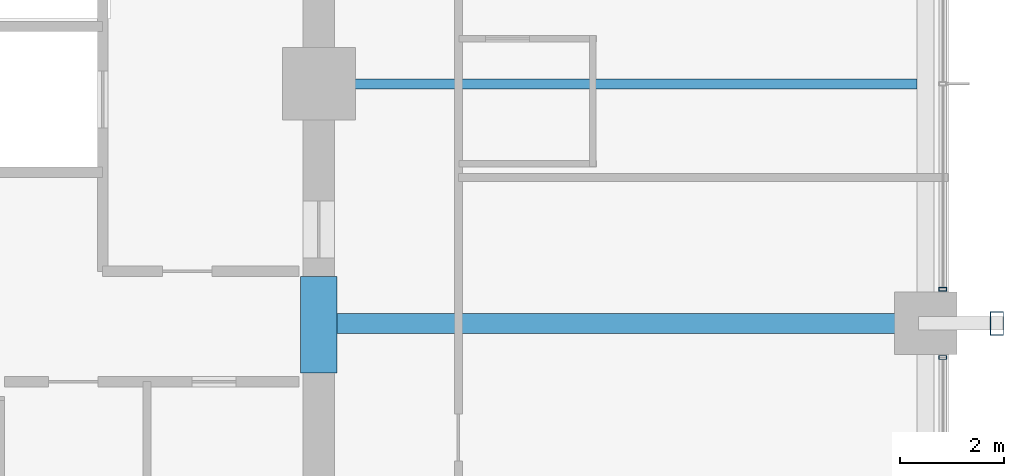
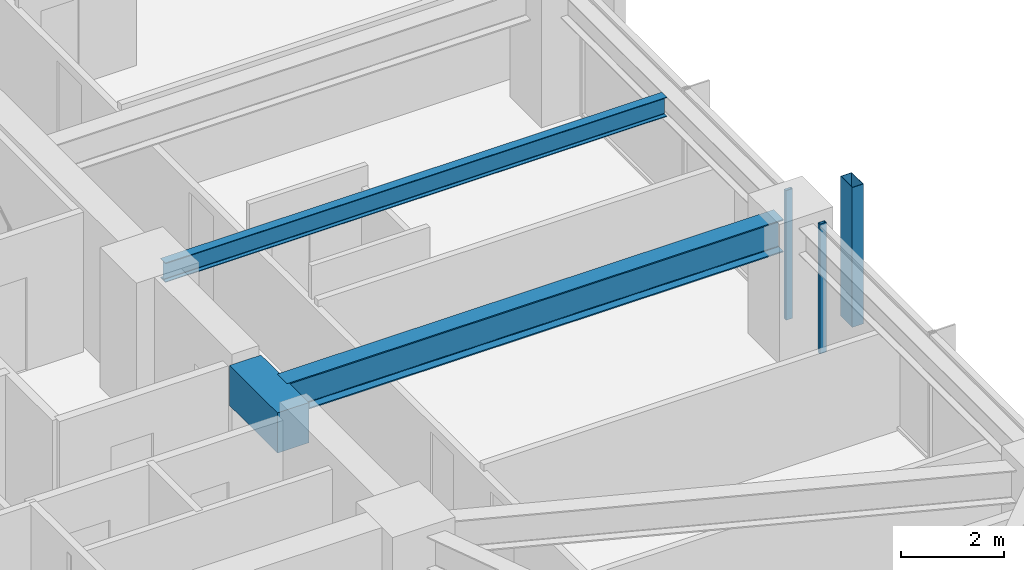
# One storey, part 13 of 38: 3 beams, 3 members, 2 elements without a shape of their own.
"""IFC4 building model written with IfcOpenShell, lengths in metres."""

import ifcopenshell
import ifcopenshell.guid

model = None  # the IFC model being written
_history = None  # IfcOwnerHistory: only IFC2X3 demands one
_inside = {}  # id of a spatial element -> (the spatial element, [elements in it])
_under = {}  # id of a project, library or spatial element -> (it, [spatial elements below it])
_declared = {}  # id of a project -> (the project, [libraries it declares])
_typed = {}  # id of a type object -> (the type object, [elements of that type])
_made_of = {}  # id of a material, layer set ... -> (it, [elements and type objects made of it])


def new_model(schema):
    """Start an empty IFC model of exactly this schema.

    Asked for "IFC4X3", IfcOpenShell would pick the latest addendum, in which some entities
    have other attributes; the version numbers below select the first issue.
    IFC2X3 requires an IfcOwnerHistory on every rooted entity: one is made here for all.
    """
    global model, _history
    if schema == "IFC4X3":
        model = ifcopenshell.file(schema_version=(4, 3, 0, 0))
    else:
        model = ifcopenshell.file(schema=schema)
    _inside.clear()
    _under.clear()
    _declared.clear()
    _typed.clear()
    _made_of.clear()
    _history = None
    if model.schema == "IFC2X3":
        org = make("IfcOrganization", Name="unknown")
        user = make(
            "IfcPersonAndOrganization",
            ThePerson=make("IfcPerson", FamilyName="unknown"),
            TheOrganization=org,
        )
        app = make(
            "IfcApplication",
            ApplicationDeveloper=org,
            Version="unknown",
            ApplicationFullName="unknown",
            ApplicationIdentifier="unknown",
        )
        _history = make(
            "IfcOwnerHistory",
            OwningUser=user,
            OwningApplication=app,
            ChangeAction="ADDED",
            CreationDate=0,
        )
    return model


def make(cls, **values):
    """One entity of the class cls with the attributes given. An attribute that is None is left unset."""
    return model.create_entity(
        cls, **{name: value for name, value in values.items() if value is not None}
    )


def rooted(cls, **values):
    """An entity with a GlobalId (a new one), such as an element, a storey or a relation."""
    return make(cls, GlobalId=ifcopenshell.guid.new(), OwnerHistory=_history, **values)


def si_unit(unit_type, name, prefix=None):
    """IfcSIUnit, for example si_unit("LENGTHUNIT", "METRE", prefix="MILLI")."""
    return make("IfcSIUnit", UnitType=unit_type, Prefix=prefix, Name=name)


def assignment(units):
    """IfcUnitAssignment: the units of a project."""
    return None if units is None else make("IfcUnitAssignment", Units=units)


def point(xyz):
    """IfcCartesianPoint."""
    return None if xyz is None else make("IfcCartesianPoint", Coordinates=xyz)


def direction(xyz):
    """IfcDirection."""
    return None if xyz is None else make("IfcDirection", DirectionRatios=xyz)


def frame(location, z_axis=None, x_axis=None):
    """IfcAxis2Placement3D, a coordinate frame: its origin and axes. An axis left out is left unset."""
    return make(
        "IfcAxis2Placement3D",
        Location=point(location),
        Axis=direction(z_axis),
        RefDirection=direction(x_axis),
    )


def frame_2d(location, x_axis=None):
    """IfcAxis2Placement2D, a coordinate frame in the plane: its origin and x axis."""
    return make(
        "IfcAxis2Placement2D", Location=point(location), RefDirection=direction(x_axis)
    )


def origin():
    """The frame at (0, 0, 0) with its axes left unset."""
    return frame((0.0, 0.0, 0.0))


def origin_2d():
    """The frame at (0, 0) in the plane with its x axis left unset."""
    return frame_2d((0.0, 0.0))


def place(relative_to, where):
    """IfcLocalPlacement: puts the frame where relative to a parent placement (None: the world)."""
    return make(
        "IfcLocalPlacement", PlacementRelTo=relative_to, RelativePlacement=where
    )


def context(
    kind, dimensions, precision=None, world=None, true_north=None, identifier=None
):
    """IfcGeometricRepresentationContext, for example the 3D "Model" context."""
    return make(
        "IfcGeometricRepresentationContext",
        ContextIdentifier=identifier,
        ContextType=kind,
        CoordinateSpaceDimension=dimensions,
        Precision=precision,
        WorldCoordinateSystem=world,
        TrueNorth=true_north,
    )


def subcontext(parent, identifier, kind, view, scale=None):
    """IfcGeometricRepresentationSubContext, for example "Body" below "Model"."""
    return make(
        "IfcGeometricRepresentationSubContext",
        ContextIdentifier=identifier,
        ContextType=kind,
        ParentContext=parent,
        TargetScale=scale,
        TargetView=view,
    )


def project(units=None, contexts=None):
    """IfcProject with its units and contexts."""
    return rooted(
        "IfcProject",
        Name="project",
        RepresentationContexts=contexts,
        UnitsInContext=assignment(units),
    )


def spatial(cls, under=None, at=None, **own):
    """A site, building, storey or space (cls), placed at a placement, below another one or the project."""
    s = rooted(cls, ObjectPlacement=at, **own)
    if under is not None:
        _under.setdefault(under.id(), (under, []))[1].append(s)
    return s


def profile(cls, at=None, kind="AREA", **sizes):
    """A parametric profile (cls). Its sizes go by their IFC names, for example OverallWidth=200.0."""
    return make(cls, ProfileType=kind, Position=at, **sizes)


def rectangle(**sizes):
    """IfcRectangleProfileDef."""
    return profile("IfcRectangleProfileDef", **sizes)


def hollow_rectangle(**sizes):
    """IfcRectangleHollowProfileDef."""
    return profile("IfcRectangleHollowProfileDef", **sizes)


def i_section(**sizes):
    """IfcIShapeProfileDef."""
    return profile("IfcIShapeProfileDef", **sizes)


def extrude(swept, where, along, depth):
    """IfcExtrudedAreaSolid: the profile swept, set in the frame where, extruded along a direction by depth."""
    return make(
        "IfcExtrudedAreaSolid",
        SweptArea=swept,
        Position=where,
        ExtrudedDirection=direction(along),
        Depth=depth,
    )


def shape(context_of_items, identifier, shape_type, items):
    """IfcShapeRepresentation: the items that make up one representation, for example the "Body"."""
    return make(
        "IfcShapeRepresentation",
        ContextOfItems=context_of_items,
        RepresentationIdentifier=identifier,
        RepresentationType=shape_type,
        Items=items,
    )


def material(Name=None, Category=None):
    """IfcMaterial."""
    return make("IfcMaterial", Name=Name, Category=Category)


def material_profile(
    of_material, cross_section, Name=None, Category=None, Priority=None
):
    """IfcMaterialProfile: a cross section and its material."""
    return make(
        "IfcMaterialProfile",
        Name=Name,
        Material=of_material,
        Profile=cross_section,
        Priority=Priority,
        Category=Category,
    )


def profile_set(profiles, Name=None, composite=None):
    """IfcMaterialProfileSet."""
    return make(
        "IfcMaterialProfileSet",
        Name=Name,
        MaterialProfiles=profiles,
        CompositeProfile=composite,
    )


def made_of(thing, what):
    """Note that an element or type object is made of a material, layer set ...; save() writes the relation."""
    if what is not None:
        _made_of.setdefault(what.id(), (what, []))[1].append(thing)
    return thing


def type_object(cls, material=None, **own):
    """A type object (cls), such as IfcWallType, which elements share."""
    return made_of(rooted(cls, **own), material)


def element(
    cls,
    number,
    at=None,
    inside=None,
    cuts=None,
    type_object=None,
    material=None,
    context=None,
    identifier="Body",
    shape_type=None,
    held_by="IfcProductDefinitionShape",
    body=None,
    shapes=None,
    **own,
):
    """One element of the class cls, such as IfcWall. Its Tag is "e" and its number.

    at: its placement. inside: the storey or other place that contains it. cuts: it is an
    opening in that element (IfcRelVoidsElement). A single representation is given by context,
    identifier, shape_type and body (its items); several are given by shapes. held_by: the class
    of the entity that holds the representations. save() writes the other relations.
    """
    e = rooted(cls, Tag="e%d" % number, ObjectPlacement=at, **own)
    if body is not None:
        shapes = [shape(context, identifier, shape_type, body)]
    if shapes is not None:
        e.Representation = make(held_by, Representations=shapes)
    if inside is not None:
        _inside.setdefault(inside.id(), (inside, []))[1].append(e)
    if cuts is not None:
        rooted(
            "IfcRelVoidsElement", RelatingBuildingElement=cuts, RelatedOpeningElement=e
        )
    if type_object is not None:
        _typed.setdefault(type_object.id(), (type_object, []))[1].append(e)
    return made_of(e, material)


def aggregate(whole, parts):
    """IfcRelAggregates: a whole, such as a stair, and the parts it consists of."""
    return rooted("IfcRelAggregates", RelatingObject=whole, RelatedObjects=parts)


def save(model, path):
    """Write the relations noted so far, then the file.

    IfcRelAggregates (storeys below a building ...), IfcRelContainedInSpatialStructure (elements
    in a storey), IfcRelDefinesByType, IfcRelAssociatesMaterial and IfcRelDeclares: one each for
    every whole, place, type object, material and project.
    """
    for whole, parts in _under.values():
        aggregate(whole, parts)
    for where, things in _inside.values():
        rooted(
            "IfcRelContainedInSpatialStructure",
            RelatedElements=things,
            RelatingStructure=where,
        )
    for kind, things in _typed.values():
        rooted("IfcRelDefinesByType", RelatedObjects=things, RelatingType=kind)
    for what, things in _made_of.values():
        rooted("IfcRelAssociatesMaterial", RelatedObjects=things, RelatingMaterial=what)
    for by, libraries in _declared.values():
        rooted("IfcRelDeclares", RelatingContext=by, RelatedDefinitions=libraries)
    model.write(path)


model = new_model("IFC4")

# Units and contexts
model_context = context("Model", 3, precision=1e-05, world=origin(), true_north=direction((0.0, 1.0)))
body_context = subcontext(model_context, "Body", "Model", "MODEL_VIEW")
ifc_project = project(units=[si_unit("LENGTHUNIT", "METRE"), si_unit("AREAUNIT", "SQUARE_METRE"), si_unit("VOLUMEUNIT", "CUBIC_METRE"), si_unit("PLANEANGLEUNIT", "RADIAN"), si_unit("MASSUNIT", "GRAM", prefix="KILO")], contexts=[model_context])

# Site, building, storey
site_placement = place(None, origin())
site = spatial("IfcSite", under=ifc_project, at=site_placement, CompositionType="ELEMENT")
building_placement = place(site_placement, origin())
building = spatial("IfcBuilding", under=site, at=building_placement, Name="Kolvaren Belvedere", CompositionType="ELEMENT")
storey_placement = place(building_placement, frame((0.0, 0.0, 50.199951171875)))
storey = spatial("IfcBuildingStorey", under=building, at=storey_placement, Name="L14", CompositionType="ELEMENT", Elevation=50.199951171875)

# Beams
ifc_material_1 = material(Name="Structural steel ASTM A992 Grade 50", Category="steel")
ifc_material_profile_1 = material_profile(ifc_material_1, i_section(OverallWidth=0.381103515625, OverallDepth=0.77294921875, WebThickness=0.0166015625, FlangeThickness=0.027099609375, FilletRadius=0.02392578125, at=origin_2d()), Name="W30X173")
ifc_profile_set_1 = profile_set([ifc_material_profile_1], Name="Structural steel ASTM A992 Grade 50")
beam_type_1 = type_object("IfcBeamType", Name="BM-GIRD-W30X173", PredefinedType="BEAM", material=ifc_profile_set_1)
beam_1_placement = place(storey_placement, frame((10.199951171875, -4.60009765625, 2.673583984375), z_axis=(1.0, 0.0, 0.0), x_axis=(0.0, 1.0, 0.0)))
element("IfcBeam", 1, at=beam_1_placement, inside=storey, type_object=beam_type_1, Name="L14 East Radial Girder M", PredefinedType="BEAM", context=body_context, shape_type="SweptSolid", body=[
    extrude(i_section(OverallWidth=0.381103515625, OverallDepth=0.77294921875, WebThickness=0.0166015625, FlangeThickness=0.027099609375, FilletRadius=0.02392578125, at=origin_2d()), origin(), (0.0, 0.0, 1.0), 11.080078125),
])
ifc_material_2 = material(Name="Structural steel ASTM A992 Grade 50", Category="steel")
ifc_material_profile_2 = material_profile(ifc_material_2, i_section(OverallWidth=0.19091796875, OverallDepth=0.4599609375, WebThickness=0.010009765625, FlangeThickness=0.01611328125, FilletRadius=0.014892578125, at=origin_2d()), Name="W18X55")
ifc_profile_set_2 = profile_set([ifc_material_profile_2], Name="Structural steel ASTM A992 Grade 50")
beam_type_2 = type_object("IfcBeamType", Name="BM-JOIST-W18X55", PredefinedType="BEAM", material=ifc_profile_set_2)
beam_2_placement = place(storey_placement, frame((10.199951171875, 0.0, 2.830078125), z_axis=(1.0, 0.0, 0.0), x_axis=(0.0, 1.0, 0.0)))
element("IfcBeam", 2, at=beam_2_placement, inside=storey, type_object=beam_type_2, Name="L14 East Centre Floor Beam", PredefinedType="BEAM", context=body_context, shape_type="SweptSolid", body=[
    extrude(i_section(OverallWidth=0.19091796875, OverallDepth=0.4599609375, WebThickness=0.010009765625, FlangeThickness=0.01611328125, FilletRadius=0.014892578125, at=origin_2d()), origin(), (0.0, 0.0, 1.0), 11.1875),
])
ifc_material_3 = material(Name="Concrete C60/75", Category="concrete")
ifc_material_profile_3 = material_profile(ifc_material_3, rectangle(XDim=0.699951171875, YDim=0.949951171875, at=origin_2d()), Name="RC 700X950")
ifc_profile_set_3 = profile_set([ifc_material_profile_3], Name="Concrete C60/75")
beam_type_3 = type_object("IfcBeamType", Name="BM-LINT-950", PredefinedType="LINTEL", material=ifc_profile_set_3)
beam_3_placement = place(storey_placement, frame((9.89990234375, -5.550048828125, 2.5849609375), z_axis=(0.0, 1.0, 0.0), x_axis=(-1.0, 0.0, 0.0)))
element("IfcBeam", 3, at=beam_3_placement, inside=storey, type_object=beam_type_3, Name="L14 East Core Coupling Lintel", PredefinedType="LINTEL", context=body_context, shape_type="SweptSolid", body=[
    extrude(rectangle(XDim=0.699951171875, YDim=0.949951171875, at=origin_2d()), origin(), (0.0, 0.0, 1.0), 1.85009765625),
])

# Curtain wall, member
ifc_material_4 = material(Name="Anodised pale-metal aluminium AA 6063-T6", Category="aluminium")
curtain_wall_type = type_object("IfcCurtainWallType", Name="CW-Z1-LOW", PredefinedType="NOTDEFINED", material=ifc_material_4)
curtain_wall_1_placement = place(storey_placement, origin())
curtain_wall_1 = element("IfcCurtainWall", 4, at=curtain_wall_1_placement, inside=storey, type_object=curtain_wall_type, Name="L14 Unitised Curtain Wall FCW-L14-E-B2", PredefinedType="NOTDEFINED")
ifc_material_5 = material(Name="Anodised pale-metal aluminium AA 6063-T6", Category="aluminium")
ifc_material_profile_4 = material_profile(ifc_material_5, hollow_rectangle(XDim=0.070068359375, YDim=0.14990234375, WallThickness=0.004150390625, at=origin_2d()), Name="ALU-MUL-150X70")
ifc_profile_set_4 = profile_set([ifc_material_profile_4], Name="Anodised pale-metal aluminium AA 6063-T6")
member_type_1 = type_object("IfcMemberType", Name="CW-MUL-150", PredefinedType="MULLION", material=ifc_profile_set_4)
member_1_placement = place(storey_placement, frame((21.8798828125, -3.945068359375, 0.0), z_axis=(0.0, 0.0, 1.0), x_axis=(0.0, 1.0, 0.0)))
member_1 = element("IfcMember", 5, at=member_1_placement, type_object=member_type_1, Name="FCW-L14-E-B2 Unitised Mullion 3", PredefinedType="MULLION", context=body_context, shape_type="SweptSolid", body=[
    extrude(hollow_rectangle(XDim=0.070068359375, YDim=0.14990234375, WallThickness=0.004150390625, at=origin_2d()), origin(), (0.0, 0.0, 1.0), 3.06005859375),
])
aggregate(curtain_wall_1, [member_1])

curtain_wall_2_placement = place(storey_placement, origin())
curtain_wall_2 = element("IfcCurtainWall", 6, at=curtain_wall_2_placement, inside=storey, type_object=curtain_wall_type, Name="L14 Unitised Curtain Wall FCW-L14-E-B3", PredefinedType="NOTDEFINED")
member_2_placement = place(storey_placement, frame((21.8798828125, -5.2548828125, 0.0), z_axis=(0.0, 0.0, 1.0), x_axis=(0.0, 1.0, 0.0)))
member_2 = element("IfcMember", 7, at=member_2_placement, type_object=member_type_1, Name="FCW-L14-E-B3 Unitised Mullion 1", PredefinedType="MULLION", context=body_context, shape_type="SweptSolid", body=[
    extrude(hollow_rectangle(XDim=0.070068359375, YDim=0.14990234375, WallThickness=0.004150390625, at=origin_2d()), origin(), (0.0, 0.0, 1.0), 3.06005859375),
])
aggregate(curtain_wall_2, [member_2])

# Member
ifc_material_6 = material(Name="Anodised pale-metal aluminium AA 6063-T6", Category="aluminium")
ifc_material_profile_5 = material_profile(ifc_material_6, hollow_rectangle(XDim=0.25, YDim=0.449951171875, WallThickness=0.008544921875, at=origin_2d()), Name="ALU-PF-450X250")
ifc_profile_set_5 = profile_set([ifc_material_profile_5], Name="Anodised pale-metal aluminium AA 6063-T6")
member_type_2 = type_object("IfcMemberType", Name="PF-FRAME-450", PredefinedType="USERDEFINED", material=ifc_profile_set_5)
member_3_placement = place(storey_placement, frame((22.919921875, -4.60009765625, 0.0), z_axis=(0.0, 0.0, 1.0), x_axis=(1.0, 0.0, 0.0)))
element("IfcMember", 8, at=member_3_placement, inside=storey, type_object=member_type_2, Name="L14 Outboard Picture-Frame Vertical E2", ObjectType="PICTURE FRAME FIN", PredefinedType="USERDEFINED", context=body_context, shape_type="SweptSolid", body=[
    extrude(hollow_rectangle(XDim=0.25, YDim=0.449951171875, WallThickness=0.008544921875, at=origin_2d()), origin(), (0.0, 0.0, 1.0), 3.300048828125),
])

save(model, "model.ifc")
